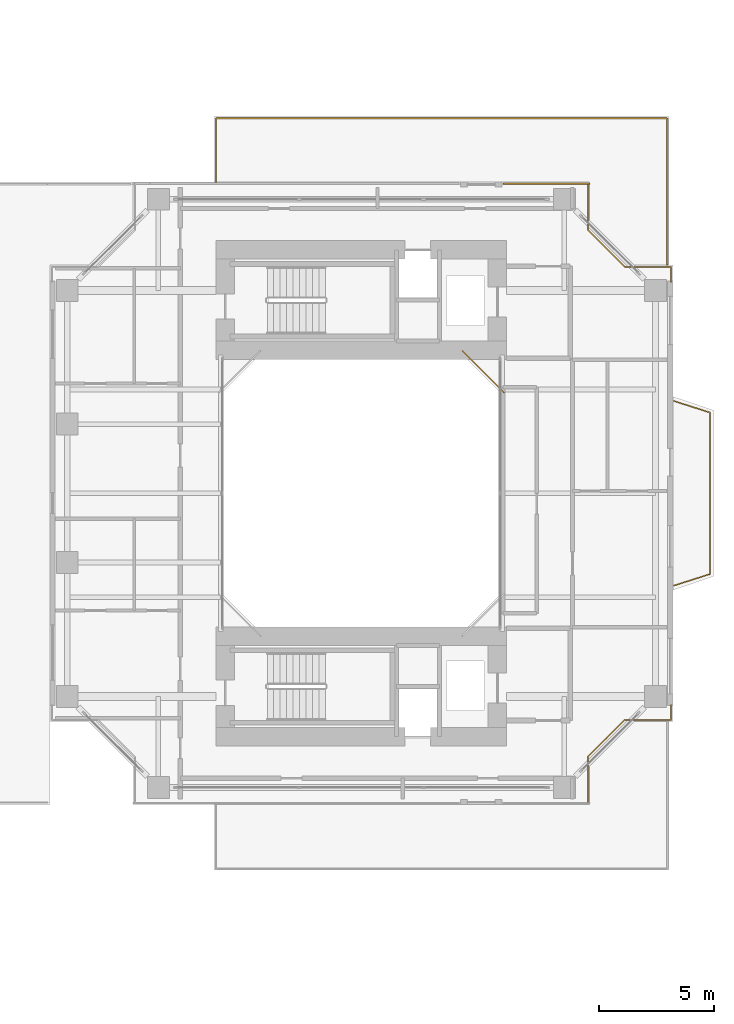
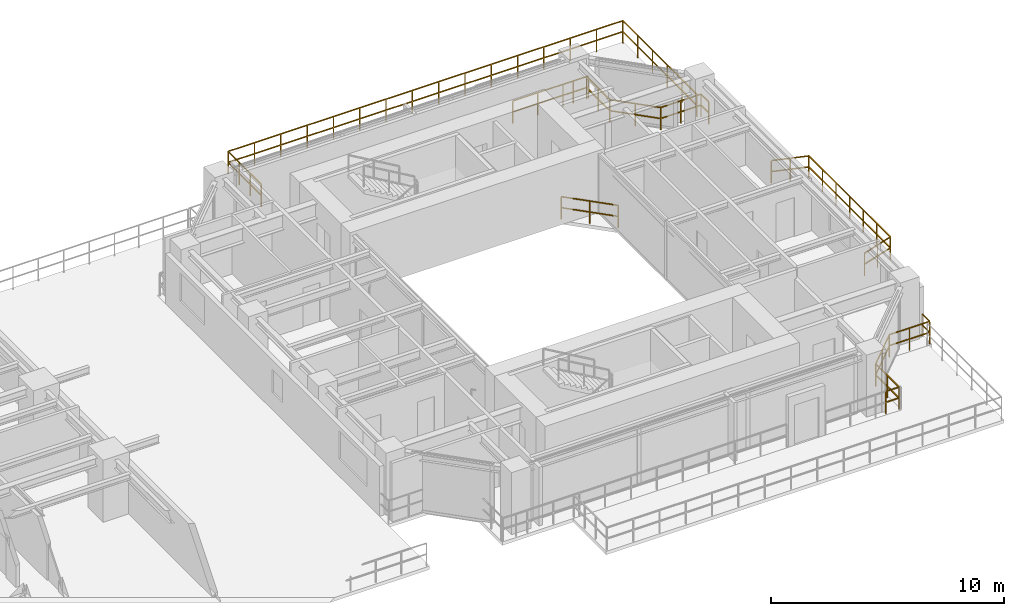
# One storey, part 22 of 22: 6 railings.
"""IFC4 building model written with IfcOpenShell, lengths in metres."""

from ifc_helpers import new_model, si_unit, direction, frame, origin, origin_2d, place, context, subcontext, project, spatial, rectangle, extrude, material, type_object, element, save


model = new_model("IFC4")

# Units and contexts
model_context = context("Model", 3, precision=1e-05, world=origin(), true_north=direction((0.0, 1.0)))
body_context = subcontext(model_context, "Body", "Model", "MODEL_VIEW")
ifc_project = project(units=[si_unit("LENGTHUNIT", "METRE"), si_unit("AREAUNIT", "SQUARE_METRE"), si_unit("VOLUMEUNIT", "CUBIC_METRE"), si_unit("PLANEANGLEUNIT", "RADIAN"), si_unit("MASSUNIT", "GRAM", prefix="KILO"), si_unit("THERMODYNAMICTEMPERATUREUNIT", "KELVIN"), si_unit("POWERUNIT", "WATT")], contexts=[model_context])

# Site, building, storey
site_placement = place(None, origin())
site = spatial("IfcSite", under=ifc_project, at=site_placement, CompositionType="ELEMENT")
building_placement = place(site_placement, origin())
building = spatial("IfcBuilding", under=site, at=building_placement, Name="Qiaomeng Ring Towers", CompositionType="ELEMENT")
storey_placement = place(building_placement, frame((0.0, 0.0, 23.0)))
storey = spatial("IfcBuildingStorey", under=building, at=storey_placement, Name="L05", CompositionType="ELEMENT", Elevation=23.0)

# Railings
ifc_material = material(Name="Low-E pale-green laminated safety glass", Category="glass")
railing_type = type_object("IfcRailingType", Name="ARC-RL-BAL1", PredefinedType="BALUSTRADE", material=ifc_material)
railing_1_placement = place(storey_placement, frame((66.679931640625, 27.3798828125, 0.0)))
element("IfcRailing", 1, at=railing_1_placement, inside=storey, type_object=railing_type, Name="L05 Balustrade ARC-BAL-WELL2-L05-2", PredefinedType="BALUSTRADE", context=body_context, shape_type="SweptSolid", body=[
    extrude(rectangle(XDim=0.048095703125, YDim=0.048095703125, at=origin_2d()), frame((0.0, 0.0, 1.17578125), z_axis=(-0.707106781187, 0.707106781187, 0.0), x_axis=(-0.707106781187, -0.707106781187, 0.0)), (0.0, 0.0, 1.0), 2.545654296875),
    extrude(rectangle(XDim=0.048095703125, YDim=0.048095703125, at=origin_2d()), frame((0.0, 0.0, 0.60009765625), z_axis=(-0.707106781187, 0.707106781187, 0.0), x_axis=(-0.707106781187, -0.707106781187, 0.0)), (0.0, 0.0, 1.0), 2.545654296875),
    extrude(rectangle(XDim=0.0419921875, YDim=0.0419921875, at=origin_2d()), origin(), (0.0, 0.0, 1.0), 1.15185546875),
    extrude(rectangle(XDim=0.0419921875, YDim=0.0419921875, at=origin_2d()), frame((-0.89990234375, 0.89990234375, 0.0)), (0.0, 0.0, 1.0), 1.15185546875),
    extrude(rectangle(XDim=0.0419921875, YDim=0.0419921875, at=origin_2d()), frame((-1.800048828125, 1.800048828125, 0.0)), (0.0, 0.0, 1.0), 1.15185546875),
])
railing_2_placement = place(storey_placement, frame((69.669921875, 9.580078125, 0.0)))
element("IfcRailing", 2, at=railing_2_placement, inside=storey, type_object=railing_type, Name="L05 Balustrade ARC-BAL-NOTCH2-L05-SE", PredefinedType="BALUSTRADE", context=body_context, shape_type="SweptSolid", body=[
    extrude(rectangle(XDim=0.048095703125, YDim=0.048095703125, at=origin_2d()), frame((0.0, 0.0, 1.17578125), z_axis=(1.0, 0.0, 0.0), x_axis=(0.0, 1.0, 0.0)), (0.0, 0.0, 1.0), 0.650146484375),
    extrude(rectangle(XDim=0.048095703125, YDim=0.048095703125, at=origin_2d()), frame((0.0, 0.0, 0.60009765625), z_axis=(1.0, 0.0, 0.0), x_axis=(0.0, 1.0, 0.0)), (0.0, 0.0, 1.0), 0.650146484375),
    extrude(rectangle(XDim=0.048095703125, YDim=0.048095703125, at=origin_2d()), frame((0.650146484375, 0.0, 1.17578125), z_axis=(0.0, 1.0, 0.0), x_axis=(-1.0, 0.0, 0.0)), (0.0, 0.0, 1.0), 2.0),
    extrude(rectangle(XDim=0.048095703125, YDim=0.048095703125, at=origin_2d()), frame((0.650146484375, 0.0, 0.60009765625), z_axis=(0.0, 1.0, 0.0), x_axis=(-1.0, 0.0, 0.0)), (0.0, 0.0, 1.0), 2.0),
    extrude(rectangle(XDim=0.048095703125, YDim=0.048095703125, at=origin_2d()), frame((0.650146484375, 2.0, 1.17578125), z_axis=(0.707106781187, 0.707106781187, 0.0), x_axis=(-0.707106781187, 0.707106781187, 0.0)), (0.0, 0.0, 1.0), 2.262451171875),
    extrude(rectangle(XDim=0.048095703125, YDim=0.048095703125, at=origin_2d()), frame((0.650146484375, 2.0, 0.60009765625), z_axis=(0.707106781187, 0.707106781187, 0.0), x_axis=(-0.707106781187, 0.707106781187, 0.0)), (0.0, 0.0, 1.0), 2.262451171875),
    extrude(rectangle(XDim=0.048095703125, YDim=0.048095703125, at=origin_2d()), frame((2.25, 3.599853515625, 1.17578125), z_axis=(1.0, 0.0, 0.0), x_axis=(0.0, 1.0, 0.0)), (0.0, 0.0, 1.0), 2.0),
    extrude(rectangle(XDim=0.048095703125, YDim=0.048095703125, at=origin_2d()), frame((2.25, 3.599853515625, 0.60009765625), z_axis=(1.0, 0.0, 0.0), x_axis=(0.0, 1.0, 0.0)), (0.0, 0.0, 1.0), 2.0),
    extrude(rectangle(XDim=0.048095703125, YDim=0.048095703125, at=origin_2d()), frame((4.25, 3.599853515625, 1.17578125), z_axis=(0.0, 1.0, 0.0), x_axis=(-1.0, 0.0, 0.0)), (0.0, 0.0, 1.0), 0.650146484375),
    extrude(rectangle(XDim=0.048095703125, YDim=0.048095703125, at=origin_2d()), frame((4.25, 3.599853515625, 0.60009765625), z_axis=(0.0, 1.0, 0.0), x_axis=(-1.0, 0.0, 0.0)), (0.0, 0.0, 1.0), 0.650146484375),
    extrude(rectangle(XDim=0.0419921875, YDim=0.0419921875, at=origin_2d()), origin(), (0.0, 0.0, 1.0), 1.15185546875),
    extrude(rectangle(XDim=0.0419921875, YDim=0.0419921875, at=origin_2d()), frame((0.650146484375, 0.0, 0.0)), (0.0, 0.0, 1.0), 1.15185546875),
    extrude(rectangle(XDim=0.0419921875, YDim=0.0419921875, at=origin_2d()), frame((0.650146484375, 1.0, 0.0)), (0.0, 0.0, 1.0), 1.15185546875),
    extrude(rectangle(XDim=0.0419921875, YDim=0.0419921875, at=origin_2d()), frame((0.650146484375, 2.0, 0.0)), (0.0, 0.0, 1.0), 1.15185546875),
    extrude(rectangle(XDim=0.0419921875, YDim=0.0419921875, at=origin_2d()), frame((1.4501953125, 2.7998046875, 0.0)), (0.0, 0.0, 1.0), 1.15185546875),
    extrude(rectangle(XDim=0.0419921875, YDim=0.0419921875, at=origin_2d()), frame((2.25, 3.599853515625, 0.0)), (0.0, 0.0, 1.0), 1.15185546875),
    extrude(rectangle(XDim=0.0419921875, YDim=0.0419921875, at=origin_2d()), frame((3.25, 3.599853515625, 0.0)), (0.0, 0.0, 1.0), 1.15185546875),
    extrude(rectangle(XDim=0.0419921875, YDim=0.0419921875, at=origin_2d()), frame((4.25, 3.599853515625, 0.0)), (0.0, 0.0, 1.0), 1.15185546875),
    extrude(rectangle(XDim=0.0419921875, YDim=0.0419921875, at=origin_2d()), frame((4.25, 4.25, 0.0)), (0.0, 0.0, 1.0), 1.15185546875),
])
railing_3_placement = place(storey_placement, frame((73.919921875, 32.169921875, 0.0)))
element("IfcRailing", 3, at=railing_3_placement, inside=storey, type_object=railing_type, Name="L05 Balustrade ARC-BAL-NOTCH2-L05-NE", PredefinedType="BALUSTRADE", context=body_context, shape_type="SweptSolid", body=[
    extrude(rectangle(XDim=0.048095703125, YDim=0.048095703125, at=origin_2d()), frame((0.0, 0.0, 1.17578125), z_axis=(0.0, 1.0, 0.0), x_axis=(-1.0, 0.0, 0.0)), (0.0, 0.0, 1.0), 0.650146484375),
    extrude(rectangle(XDim=0.048095703125, YDim=0.048095703125, at=origin_2d()), frame((0.0, 0.0, 0.60009765625), z_axis=(0.0, 1.0, 0.0), x_axis=(-1.0, 0.0, 0.0)), (0.0, 0.0, 1.0), 0.650146484375),
    extrude(rectangle(XDim=0.048095703125, YDim=0.048095703125, at=origin_2d()), frame((0.0, 0.650146484375, 1.17578125), z_axis=(-1.0, 0.0, 0.0), x_axis=(0.0, -1.0, 0.0)), (0.0, 0.0, 1.0), 2.0),
    extrude(rectangle(XDim=0.048095703125, YDim=0.048095703125, at=origin_2d()), frame((0.0, 0.650146484375, 0.60009765625), z_axis=(-1.0, 0.0, 0.0), x_axis=(0.0, -1.0, 0.0)), (0.0, 0.0, 1.0), 2.0),
    extrude(rectangle(XDim=0.048095703125, YDim=0.048095703125, at=origin_2d()), frame((-2.0, 0.650146484375, 1.17578125), z_axis=(-0.707106781187, 0.707106781187, 0.0), x_axis=(-0.707106781187, -0.707106781187, 0.0)), (0.0, 0.0, 1.0), 2.262451171875),
    extrude(rectangle(XDim=0.048095703125, YDim=0.048095703125, at=origin_2d()), frame((-2.0, 0.650146484375, 0.60009765625), z_axis=(-0.707106781187, 0.707106781187, 0.0), x_axis=(-0.707106781187, -0.707106781187, 0.0)), (0.0, 0.0, 1.0), 2.262451171875),
    extrude(rectangle(XDim=0.048095703125, YDim=0.048095703125, at=origin_2d()), frame((-3.599853515625, 2.25, 1.17578125), z_axis=(0.0, 1.0, 0.0), x_axis=(-1.0, 0.0, 0.0)), (0.0, 0.0, 1.0), 2.0),
    extrude(rectangle(XDim=0.048095703125, YDim=0.048095703125, at=origin_2d()), frame((-3.599853515625, 2.25, 0.60009765625), z_axis=(0.0, 1.0, 0.0), x_axis=(-1.0, 0.0, 0.0)), (0.0, 0.0, 1.0), 2.0),
    extrude(rectangle(XDim=0.048095703125, YDim=0.048095703125, at=origin_2d()), frame((-3.599853515625, 4.25, 1.17578125), z_axis=(-1.0, 0.0, 0.0), x_axis=(0.0, -1.0, 0.0)), (0.0, 0.0, 1.0), 0.650146484375),
    extrude(rectangle(XDim=0.048095703125, YDim=0.048095703125, at=origin_2d()), frame((-3.599853515625, 4.25, 0.60009765625), z_axis=(-1.0, 0.0, 0.0), x_axis=(0.0, -1.0, 0.0)), (0.0, 0.0, 1.0), 0.650146484375),
    extrude(rectangle(XDim=0.0419921875, YDim=0.0419921875, at=origin_2d()), origin(), (0.0, 0.0, 1.0), 1.15185546875),
    extrude(rectangle(XDim=0.0419921875, YDim=0.0419921875, at=origin_2d()), frame((0.0, 0.650146484375, 0.0)), (0.0, 0.0, 1.0), 1.15185546875),
    extrude(rectangle(XDim=0.0419921875, YDim=0.0419921875, at=origin_2d()), frame((-1.0, 0.650146484375, 0.0)), (0.0, 0.0, 1.0), 1.15185546875),
    extrude(rectangle(XDim=0.0419921875, YDim=0.0419921875, at=origin_2d()), frame((-2.0, 0.650146484375, 0.0)), (0.0, 0.0, 1.0), 1.15185546875),
    extrude(rectangle(XDim=0.0419921875, YDim=0.0419921875, at=origin_2d()), frame((-2.7998046875, 1.4501953125, 0.0)), (0.0, 0.0, 1.0), 1.15185546875),
    extrude(rectangle(XDim=0.0419921875, YDim=0.0419921875, at=origin_2d()), frame((-3.599853515625, 2.25, 0.0)), (0.0, 0.0, 1.0), 1.15185546875),
    extrude(rectangle(XDim=0.0419921875, YDim=0.0419921875, at=origin_2d()), frame((-3.599853515625, 3.25, 0.0)), (0.0, 0.0, 1.0), 1.15185546875),
    extrude(rectangle(XDim=0.0419921875, YDim=0.0419921875, at=origin_2d()), frame((-3.599853515625, 4.25, 0.0)), (0.0, 0.0, 1.0), 1.15185546875),
    extrude(rectangle(XDim=0.0419921875, YDim=0.0419921875, at=origin_2d()), frame((-4.25, 4.25, 0.0)), (0.0, 0.0, 1.0), 1.15185546875),
])
railing_4_placement = place(storey_placement, frame((74.050048828125, 19.0, 0.0)))
element("IfcRailing", 4, at=railing_4_placement, inside=storey, type_object=railing_type, Name="L05 Balustrade ARC-BAL-L05-T2-E", PredefinedType="BALUSTRADE", context=body_context, shape_type="SweptSolid", body=[
    extrude(rectangle(XDim=0.048095703125, YDim=0.048095703125, at=origin_2d()), frame((0.0, 0.0, 1.17578125), z_axis=(0.952849860715, 0.303442157479, 0.0), x_axis=(-0.303442157479, 0.952849860715, 0.0)), (0.0, 0.0, 1.0), 1.647705078125),
    extrude(rectangle(XDim=0.048095703125, YDim=0.048095703125, at=origin_2d()), frame((0.0, 0.0, 0.60009765625), z_axis=(0.952849860715, 0.303442157479, 0.0), x_axis=(-0.303442157479, 0.952849860715, 0.0)), (0.0, 0.0, 1.0), 1.647705078125),
    extrude(rectangle(XDim=0.048095703125, YDim=0.048095703125, at=origin_2d()), frame((1.570068359375, 0.5, 1.17578125), z_axis=(0.0, 1.0, 0.0), x_axis=(-1.0, 0.0, 0.0)), (0.0, 0.0, 1.0), 7.0),
    extrude(rectangle(XDim=0.048095703125, YDim=0.048095703125, at=origin_2d()), frame((1.570068359375, 0.5, 0.60009765625), z_axis=(0.0, 1.0, 0.0), x_axis=(-1.0, 0.0, 0.0)), (0.0, 0.0, 1.0), 7.0),
    extrude(rectangle(XDim=0.048095703125, YDim=0.048095703125, at=origin_2d()), frame((1.570068359375, 7.5, 1.17578125), z_axis=(-0.952849860715, 0.303442157479, 0.0), x_axis=(-0.303442157479, -0.952849860715, 0.0)), (0.0, 0.0, 1.0), 1.647705078125),
    extrude(rectangle(XDim=0.048095703125, YDim=0.048095703125, at=origin_2d()), frame((1.570068359375, 7.5, 0.60009765625), z_axis=(-0.952849860715, 0.303442157479, 0.0), x_axis=(-0.303442157479, -0.952849860715, 0.0)), (0.0, 0.0, 1.0), 1.647705078125),
    extrude(rectangle(XDim=0.0419921875, YDim=0.0419921875, at=origin_2d()), origin(), (0.0, 0.0, 1.0), 1.15185546875),
    extrude(rectangle(XDim=0.0419921875, YDim=0.0419921875, at=origin_2d()), frame((0.78515625, 0.25, 0.0)), (0.0, 0.0, 1.0), 1.15185546875),
    extrude(rectangle(XDim=0.0419921875, YDim=0.0419921875, at=origin_2d()), frame((1.570068359375, 0.5, 0.0)), (0.0, 0.0, 1.0), 1.15185546875),
    extrude(rectangle(XDim=0.0419921875, YDim=0.0419921875, at=origin_2d()), frame((1.570068359375, 1.666748046875, 0.0)), (0.0, 0.0, 1.0), 1.15185546875),
    extrude(rectangle(XDim=0.0419921875, YDim=0.0419921875, at=origin_2d()), frame((1.570068359375, 2.833251953125, 0.0)), (0.0, 0.0, 1.0), 1.15185546875),
    extrude(rectangle(XDim=0.0419921875, YDim=0.0419921875, at=origin_2d()), frame((1.570068359375, 4.0, 0.0)), (0.0, 0.0, 1.0), 1.15185546875),
    extrude(rectangle(XDim=0.0419921875, YDim=0.0419921875, at=origin_2d()), frame((1.570068359375, 5.166748046875, 0.0)), (0.0, 0.0, 1.0), 1.15185546875),
    extrude(rectangle(XDim=0.0419921875, YDim=0.0419921875, at=origin_2d()), frame((1.570068359375, 6.333251953125, 0.0)), (0.0, 0.0, 1.0), 1.15185546875),
    extrude(rectangle(XDim=0.0419921875, YDim=0.0419921875, at=origin_2d()), frame((1.570068359375, 7.5, 0.0)), (0.0, 0.0, 1.0), 1.15185546875),
    extrude(rectangle(XDim=0.0419921875, YDim=0.0419921875, at=origin_2d()), frame((0.78515625, 7.75, 0.0)), (0.0, 0.0, 1.0), 1.15185546875),
    extrude(rectangle(XDim=0.0419921875, YDim=0.0419921875, at=origin_2d()), frame((0.0, 8.0, 0.0)), (0.0, 0.0, 1.0), 1.15185546875),
])
railing_5_placement = place(storey_placement, frame((66.659912109375, 36.419921875, 0.0)))
element("IfcRailing", 5, at=railing_5_placement, inside=storey, type_object=railing_type, Name="L05 Balustrade ARC-BAL-T2N-L05-B", PredefinedType="BALUSTRADE", context=body_context, shape_type="SweptSolid", body=[
    extrude(rectangle(XDim=0.048095703125, YDim=0.048095703125, at=origin_2d()), frame((0.0, 0.0, 1.17578125), z_axis=(1.0, 0.0, 0.0), x_axis=(0.0, 1.0, 0.0)), (0.0, 0.0, 1.0), 3.739990234375),
    extrude(rectangle(XDim=0.048095703125, YDim=0.048095703125, at=origin_2d()), frame((0.0, 0.0, 0.60009765625), z_axis=(1.0, 0.0, 0.0), x_axis=(0.0, 1.0, 0.0)), (0.0, 0.0, 1.0), 3.739990234375),
    extrude(rectangle(XDim=0.0419921875, YDim=0.0419921875, at=origin_2d()), origin(), (0.0, 0.0, 1.0), 1.15185546875),
    extrude(rectangle(XDim=0.0419921875, YDim=0.0419921875, at=origin_2d()), frame((1.24658203125, 0.0, 0.0)), (0.0, 0.0, 1.0), 1.15185546875),
    extrude(rectangle(XDim=0.0419921875, YDim=0.0419921875, at=origin_2d()), frame((2.493408203125, 0.0, 0.0)), (0.0, 0.0, 1.0), 1.15185546875),
    extrude(rectangle(XDim=0.0419921875, YDim=0.0419921875, at=origin_2d()), frame((3.739990234375, 0.0, 0.0)), (0.0, 0.0, 1.0), 1.15185546875),
])
railing_6_placement = place(storey_placement, frame((54.18994140625, 36.419921875, 0.0)))
element("IfcRailing", 6, at=railing_6_placement, inside=storey, type_object=railing_type, Name="L05 Balustrade ARC-BAL-L05-RF2", PredefinedType="BALUSTRADE", context=body_context, shape_type="SweptSolid", body=[
    extrude(rectangle(XDim=0.048095703125, YDim=0.048095703125, at=origin_2d()), frame((0.0, 0.0, 1.17578125), z_axis=(0.0, 1.0, 0.0), x_axis=(-1.0, 0.0, 0.0)), (0.0, 0.0, 1.0), 2.840087890625),
    extrude(rectangle(XDim=0.048095703125, YDim=0.048095703125, at=origin_2d()), frame((0.0, 0.0, 0.60009765625), z_axis=(0.0, 1.0, 0.0), x_axis=(-1.0, 0.0, 0.0)), (0.0, 0.0, 1.0), 2.840087890625),
    extrude(rectangle(XDim=0.048095703125, YDim=0.048095703125, at=origin_2d()), frame((0.0, 2.840087890625, 1.17578125), z_axis=(1.0, 0.0, 0.0), x_axis=(0.0, 1.0, 0.0)), (0.0, 0.0, 1.0), 19.570068359375),
    extrude(rectangle(XDim=0.048095703125, YDim=0.048095703125, at=origin_2d()), frame((0.0, 2.840087890625, 0.60009765625), z_axis=(1.0, 0.0, 0.0), x_axis=(0.0, 1.0, 0.0)), (0.0, 0.0, 1.0), 19.570068359375),
    extrude(rectangle(XDim=0.048095703125, YDim=0.048095703125, at=origin_2d()), frame((19.570068359375, 2.840087890625, 1.17578125), z_axis=(0.0, -1.0, 0.0), x_axis=(1.0, 0.0, 0.0)), (0.0, 0.0, 1.0), 6.360107421875),
    extrude(rectangle(XDim=0.048095703125, YDim=0.048095703125, at=origin_2d()), frame((19.570068359375, 2.840087890625, 0.60009765625), z_axis=(0.0, -1.0, 0.0), x_axis=(1.0, 0.0, 0.0)), (0.0, 0.0, 1.0), 6.360107421875),
    extrude(rectangle(XDim=0.0419921875, YDim=0.0419921875, at=origin_2d()), origin(), (0.0, 0.0, 1.0), 1.15185546875),
    extrude(rectangle(XDim=0.0419921875, YDim=0.0419921875, at=origin_2d()), frame((0.0, 0.94677734375, 0.0)), (0.0, 0.0, 1.0), 1.15185546875),
    extrude(rectangle(XDim=0.0419921875, YDim=0.0419921875, at=origin_2d()), frame((0.0, 1.893310546875, 0.0)), (0.0, 0.0, 1.0), 1.15185546875),
    extrude(rectangle(XDim=0.0419921875, YDim=0.0419921875, at=origin_2d()), frame((0.0, 2.840087890625, 0.0)), (0.0, 0.0, 1.0), 1.15185546875),
    extrude(rectangle(XDim=0.0419921875, YDim=0.0419921875, at=origin_2d()), frame((1.3046875, 2.840087890625, 0.0)), (0.0, 0.0, 1.0), 1.15185546875),
    extrude(rectangle(XDim=0.0419921875, YDim=0.0419921875, at=origin_2d()), frame((2.609375, 2.840087890625, 0.0)), (0.0, 0.0, 1.0), 1.15185546875),
    extrude(rectangle(XDim=0.0419921875, YDim=0.0419921875, at=origin_2d()), frame((3.9140625, 2.840087890625, 0.0)), (0.0, 0.0, 1.0), 1.15185546875),
    extrude(rectangle(XDim=0.0419921875, YDim=0.0419921875, at=origin_2d()), frame((5.21875, 2.840087890625, 0.0)), (0.0, 0.0, 1.0), 1.15185546875),
    extrude(rectangle(XDim=0.0419921875, YDim=0.0419921875, at=origin_2d()), frame((6.5234375, 2.840087890625, 0.0)), (0.0, 0.0, 1.0), 1.15185546875),
    extrude(rectangle(XDim=0.0419921875, YDim=0.0419921875, at=origin_2d()), frame((7.828125, 2.840087890625, 0.0)), (0.0, 0.0, 1.0), 1.15185546875),
    extrude(rectangle(XDim=0.0419921875, YDim=0.0419921875, at=origin_2d()), frame((9.1328125, 2.840087890625, 0.0)), (0.0, 0.0, 1.0), 1.15185546875),
    extrude(rectangle(XDim=0.0419921875, YDim=0.0419921875, at=origin_2d()), frame((10.437255859375, 2.840087890625, 0.0)), (0.0, 0.0, 1.0), 1.15185546875),
    extrude(rectangle(XDim=0.0419921875, YDim=0.0419921875, at=origin_2d()), frame((11.741943359375, 2.840087890625, 0.0)), (0.0, 0.0, 1.0), 1.15185546875),
    extrude(rectangle(XDim=0.0419921875, YDim=0.0419921875, at=origin_2d()), frame((13.046630859375, 2.840087890625, 0.0)), (0.0, 0.0, 1.0), 1.15185546875),
    extrude(rectangle(XDim=0.0419921875, YDim=0.0419921875, at=origin_2d()), frame((14.351318359375, 2.840087890625, 0.0)), (0.0, 0.0, 1.0), 1.15185546875),
    extrude(rectangle(XDim=0.0419921875, YDim=0.0419921875, at=origin_2d()), frame((15.656005859375, 2.840087890625, 0.0)), (0.0, 0.0, 1.0), 1.15185546875),
    extrude(rectangle(XDim=0.0419921875, YDim=0.0419921875, at=origin_2d()), frame((16.960693359375, 2.840087890625, 0.0)), (0.0, 0.0, 1.0), 1.15185546875),
    extrude(rectangle(XDim=0.0419921875, YDim=0.0419921875, at=origin_2d()), frame((18.265380859375, 2.840087890625, 0.0)), (0.0, 0.0, 1.0), 1.15185546875),
    extrude(rectangle(XDim=0.0419921875, YDim=0.0419921875, at=origin_2d()), frame((19.570068359375, 2.840087890625, 0.0)), (0.0, 0.0, 1.0), 1.15185546875),
    extrude(rectangle(XDim=0.0419921875, YDim=0.0419921875, at=origin_2d()), frame((19.570068359375, 1.568115234375, 0.0)), (0.0, 0.0, 1.0), 1.15185546875),
    extrude(rectangle(XDim=0.0419921875, YDim=0.0419921875, at=origin_2d()), frame((19.570068359375, 0.296142578125, 0.0)), (0.0, 0.0, 1.0), 1.15185546875),
    extrude(rectangle(XDim=0.0419921875, YDim=0.0419921875, at=origin_2d()), frame((19.570068359375, -0.97607421875, 0.0)), (0.0, 0.0, 1.0), 1.15185546875),
    extrude(rectangle(XDim=0.0419921875, YDim=0.0419921875, at=origin_2d()), frame((19.570068359375, -2.248046875, 0.0)), (0.0, 0.0, 1.0), 1.15185546875),
    extrude(rectangle(XDim=0.0419921875, YDim=0.0419921875, at=origin_2d()), frame((19.570068359375, -3.52001953125, 0.0)), (0.0, 0.0, 1.0), 1.15185546875),
])

save(model, "model.ifc")
